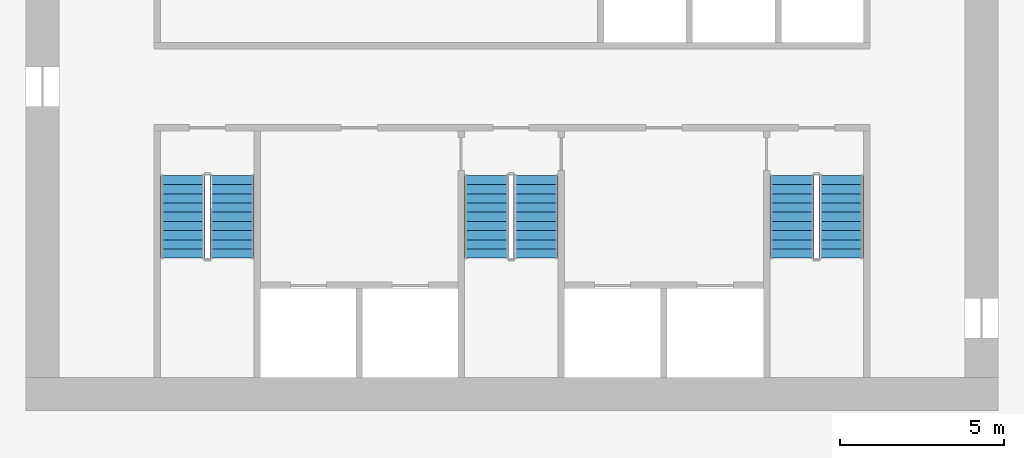
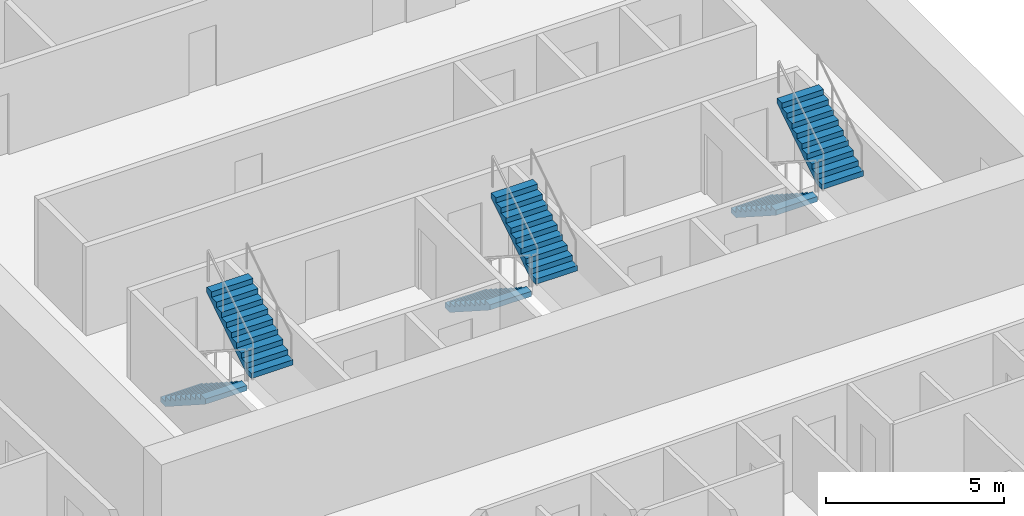
# One storey, part 12 of 16: 6 stair flights, 3 elements without a shape of their own.
"""IFC4 building model written with IfcOpenShell, lengths in metres."""

from ifc_helpers import new_model, si_unit, direction, frame, origin, place, context, subcontext, project, spatial, polyline, outline, extrude, material, type_object, element, aggregate, save


model = new_model("IFC4")

# Units and contexts
model_context = context("Model", 3, precision=1e-05, world=origin(), true_north=direction((0.0, 1.0)))
body_context = subcontext(model_context, "Body", "Model", "MODEL_VIEW")
ifc_project = project(units=[si_unit("LENGTHUNIT", "METRE"), si_unit("AREAUNIT", "SQUARE_METRE"), si_unit("VOLUMEUNIT", "CUBIC_METRE"), si_unit("PLANEANGLEUNIT", "RADIAN"), si_unit("MASSUNIT", "GRAM", prefix="KILO")], contexts=[model_context])

# Site, building, storey
site_placement = place(None, origin())
site = spatial("IfcSite", under=ifc_project, at=site_placement, CompositionType="ELEMENT")
building_placement = place(site_placement, origin())
building = spatial("IfcBuilding", under=site, at=building_placement, Name="Mangrove Gate Tower", CompositionType="ELEMENT")
storey_placement = place(building_placement, frame((0.0, 0.0, 130.10009765625)))
storey = spatial("IfcBuildingStorey", under=building, at=storey_placement, Name="L32", CompositionType="ELEMENT", Elevation=130.10009765625)

# Stair, stair flights
ifc_material_1 = material(Name="Concrete C40/50", Category="concrete")
stair_type = type_object("IfcStairType", Name="Core stair 1350", PredefinedType="HALF_TURN_STAIR", material=ifc_material_1)
stair_1_placement = place(storey_placement, origin())
stair_1 = element("IfcStair", 1, at=stair_1_placement, inside=storey, type_object=stair_type, Name="L32 Stair 1", PredefinedType="HALF_TURN_STAIR")
ifc_material_2 = material(Name="Concrete C40/50", Category="concrete")
stair_flight_type = type_object("IfcStairFlightType", Name="Core stair flight 1350", PredefinedType="STRAIGHT", material=ifc_material_2)
stair_flight_1_placement = place(storey_placement, frame((-10.02490234375, -4.64990234375, 0.0), z_axis=(0.0, 0.0, 1.0), x_axis=(0.0, -1.0, 0.0)))
stair_flight_1 = element("IfcStairFlight", 2, at=stair_flight_1_placement, type_object=stair_flight_type, Name="ST1 flight 1", NumberOfRisers=10, NumberOfTreads=9, PredefinedType="STRAIGHT", RiserHeight=0.18, TreadLength=0.28, context=body_context, shape_type="SweptSolid", body=[
    extrude(outline(polyline([(0.0, 0.0), (0.0, 0.179931640625), (0.280029296875, 0.179931640625), (0.280029296875, 0.360107421875), (0.56005859375, 0.360107421875), (0.56005859375, 0.5400390625), (0.840087890625, 0.5400390625), (0.840087890625, 0.719970703125), (1.1201171875, 0.719970703125), (1.1201171875, 0.89990234375), (1.39990234375, 0.89990234375), (1.39990234375, 1.080078125), (1.679931640625, 1.080078125), (1.679931640625, 1.260009765625), (1.9599609375, 1.260009765625), (1.9599609375, 1.43994140625), (2.239990234375, 1.43994140625), (2.239990234375, 1.6201171875), (2.52001953125, 1.6201171875), (2.52001953125, 1.800048828125), (2.52001953125, 1.44189453125), (0.277099609375, 0.0), (0.0, 0.0)])), frame((0.0, 0.675048828125, 0.0), z_axis=(0.0, -1.0, 0.0), x_axis=(1.0, 0.0, 0.0)), (0.0, 0.0, 1.0), 1.35009765625),
])
stair_flight_2_placement = place(storey_placement, frame((-8.52490234375, -7.169921875, 1.7998046875), z_axis=(0.0, 0.0, 1.0), x_axis=(0.0, 1.0, 0.0)))
stair_flight_2 = element("IfcStairFlight", 3, at=stair_flight_2_placement, type_object=stair_flight_type, Name="ST1 flight 2", NumberOfRisers=10, NumberOfTreads=9, PredefinedType="STRAIGHT", RiserHeight=0.18, TreadLength=0.28, context=body_context, shape_type="SweptSolid", body=[
    extrude(outline(polyline([(0.0, 0.0), (0.0, 0.179931640625), (0.280029296875, 0.179931640625), (0.280029296875, 0.360107421875), (0.56005859375, 0.360107421875), (0.56005859375, 0.5400390625), (0.840087890625, 0.5400390625), (0.840087890625, 0.719970703125), (1.1201171875, 0.719970703125), (1.1201171875, 0.89990234375), (1.39990234375, 0.89990234375), (1.39990234375, 1.080078125), (1.679931640625, 1.080078125), (1.679931640625, 1.260009765625), (1.9599609375, 1.260009765625), (1.9599609375, 1.43994140625), (2.239990234375, 1.43994140625), (2.239990234375, 1.6201171875), (2.52001953125, 1.6201171875), (2.52001953125, 1.800048828125), (2.52001953125, 1.44189453125), (0.277099609375, 0.0), (0.0, 0.0)])), frame((0.0, 0.675048828125, 0.0), z_axis=(0.0, -1.0, 0.0), x_axis=(1.0, 0.0, 0.0)), (0.0, 0.0, 1.0), 1.35009765625),
])
aggregate(stair_1, [stair_flight_1, stair_flight_2])

stair_2_placement = place(storey_placement, origin())
stair_2 = element("IfcStair", 4, at=stair_2_placement, inside=storey, type_object=stair_type, Name="L32 Stair 2", PredefinedType="HALF_TURN_STAIR")
stair_flight_3_placement = place(storey_placement, frame((-0.77490234375, -4.64990234375, 0.0), z_axis=(0.0, 0.0, 1.0), x_axis=(0.0, -1.0, 0.0)))
stair_flight_3 = element("IfcStairFlight", 5, at=stair_flight_3_placement, type_object=stair_flight_type, Name="ST2 flight 1", NumberOfRisers=10, NumberOfTreads=9, PredefinedType="STRAIGHT", RiserHeight=0.18, TreadLength=0.28, context=body_context, shape_type="SweptSolid", body=[
    extrude(outline(polyline([(0.0, 0.0), (0.0, 0.179931640625), (0.280029296875, 0.179931640625), (0.280029296875, 0.360107421875), (0.56005859375, 0.360107421875), (0.56005859375, 0.5400390625), (0.840087890625, 0.5400390625), (0.840087890625, 0.719970703125), (1.1201171875, 0.719970703125), (1.1201171875, 0.89990234375), (1.39990234375, 0.89990234375), (1.39990234375, 1.080078125), (1.679931640625, 1.080078125), (1.679931640625, 1.260009765625), (1.9599609375, 1.260009765625), (1.9599609375, 1.43994140625), (2.239990234375, 1.43994140625), (2.239990234375, 1.6201171875), (2.52001953125, 1.6201171875), (2.52001953125, 1.800048828125), (2.52001953125, 1.44189453125), (0.277099609375, 0.0), (0.0, 0.0)])), frame((0.0, 0.675048828125, 0.0), z_axis=(0.0, -1.0, 0.0), x_axis=(1.0, 0.0, 0.0)), (0.0, 0.0, 1.0), 1.35009765625),
])
stair_flight_4_placement = place(storey_placement, frame((0.72509765625, -7.169921875, 1.7998046875), z_axis=(0.0, 0.0, 1.0), x_axis=(0.0, 1.0, 0.0)))
stair_flight_4 = element("IfcStairFlight", 6, at=stair_flight_4_placement, type_object=stair_flight_type, Name="ST2 flight 2", NumberOfRisers=10, NumberOfTreads=9, PredefinedType="STRAIGHT", RiserHeight=0.18, TreadLength=0.28, context=body_context, shape_type="SweptSolid", body=[
    extrude(outline(polyline([(0.0, 0.0), (0.0, 0.179931640625), (0.280029296875, 0.179931640625), (0.280029296875, 0.360107421875), (0.56005859375, 0.360107421875), (0.56005859375, 0.5400390625), (0.840087890625, 0.5400390625), (0.840087890625, 0.719970703125), (1.1201171875, 0.719970703125), (1.1201171875, 0.89990234375), (1.39990234375, 0.89990234375), (1.39990234375, 1.080078125), (1.679931640625, 1.080078125), (1.679931640625, 1.260009765625), (1.9599609375, 1.260009765625), (1.9599609375, 1.43994140625), (2.239990234375, 1.43994140625), (2.239990234375, 1.6201171875), (2.52001953125, 1.6201171875), (2.52001953125, 1.800048828125), (2.52001953125, 1.44189453125), (0.277099609375, 0.0), (0.0, 0.0)])), frame((0.0, 0.675048828125, 0.0), z_axis=(0.0, -1.0, 0.0), x_axis=(1.0, 0.0, 0.0)), (0.0, 0.0, 1.0), 1.35009765625),
])
aggregate(stair_2, [stair_flight_3, stair_flight_4])

stair_3_placement = place(storey_placement, origin())
stair_3 = element("IfcStair", 7, at=stair_3_placement, inside=storey, type_object=stair_type, Name="L32 Stair 3", PredefinedType="HALF_TURN_STAIR")
stair_flight_5_placement = place(storey_placement, frame((8.52490234375, -4.64990234375, 0.0), z_axis=(0.0, 0.0, 1.0), x_axis=(0.0, -1.0, 0.0)))
stair_flight_5 = element("IfcStairFlight", 8, at=stair_flight_5_placement, type_object=stair_flight_type, Name="ST3 flight 1", NumberOfRisers=10, NumberOfTreads=9, PredefinedType="STRAIGHT", RiserHeight=0.18, TreadLength=0.28, context=body_context, shape_type="SweptSolid", body=[
    extrude(outline(polyline([(0.0, 0.0), (0.0, 0.179931640625), (0.280029296875, 0.179931640625), (0.280029296875, 0.360107421875), (0.56005859375, 0.360107421875), (0.56005859375, 0.5400390625), (0.840087890625, 0.5400390625), (0.840087890625, 0.719970703125), (1.1201171875, 0.719970703125), (1.1201171875, 0.89990234375), (1.39990234375, 0.89990234375), (1.39990234375, 1.080078125), (1.679931640625, 1.080078125), (1.679931640625, 1.260009765625), (1.9599609375, 1.260009765625), (1.9599609375, 1.43994140625), (2.239990234375, 1.43994140625), (2.239990234375, 1.6201171875), (2.52001953125, 1.6201171875), (2.52001953125, 1.800048828125), (2.52001953125, 1.44189453125), (0.277099609375, 0.0), (0.0, 0.0)])), frame((0.0, 0.675048828125, 0.0), z_axis=(0.0, -1.0, 0.0), x_axis=(1.0, 0.0, 0.0)), (0.0, 0.0, 1.0), 1.35009765625),
])
stair_flight_6_placement = place(storey_placement, frame((10.02490234375, -7.169921875, 1.7998046875), z_axis=(0.0, 0.0, 1.0), x_axis=(0.0, 1.0, 0.0)))
stair_flight_6 = element("IfcStairFlight", 9, at=stair_flight_6_placement, type_object=stair_flight_type, Name="ST3 flight 2", NumberOfRisers=10, NumberOfTreads=9, PredefinedType="STRAIGHT", RiserHeight=0.18, TreadLength=0.28, context=body_context, shape_type="SweptSolid", body=[
    extrude(outline(polyline([(0.0, 0.0), (0.0, 0.179931640625), (0.280029296875, 0.179931640625), (0.280029296875, 0.360107421875), (0.56005859375, 0.360107421875), (0.56005859375, 0.5400390625), (0.840087890625, 0.5400390625), (0.840087890625, 0.719970703125), (1.1201171875, 0.719970703125), (1.1201171875, 0.89990234375), (1.39990234375, 0.89990234375), (1.39990234375, 1.080078125), (1.679931640625, 1.080078125), (1.679931640625, 1.260009765625), (1.9599609375, 1.260009765625), (1.9599609375, 1.43994140625), (2.239990234375, 1.43994140625), (2.239990234375, 1.6201171875), (2.52001953125, 1.6201171875), (2.52001953125, 1.800048828125), (2.52001953125, 1.44189453125), (0.277099609375, 0.0), (0.0, 0.0)])), frame((0.0, 0.675048828125, 0.0), z_axis=(0.0, -1.0, 0.0), x_axis=(1.0, 0.0, 0.0)), (0.0, 0.0, 1.0), 1.35009765625),
])
aggregate(stair_3, [stair_flight_5, stair_flight_6])

save(model, "model.ifc")
